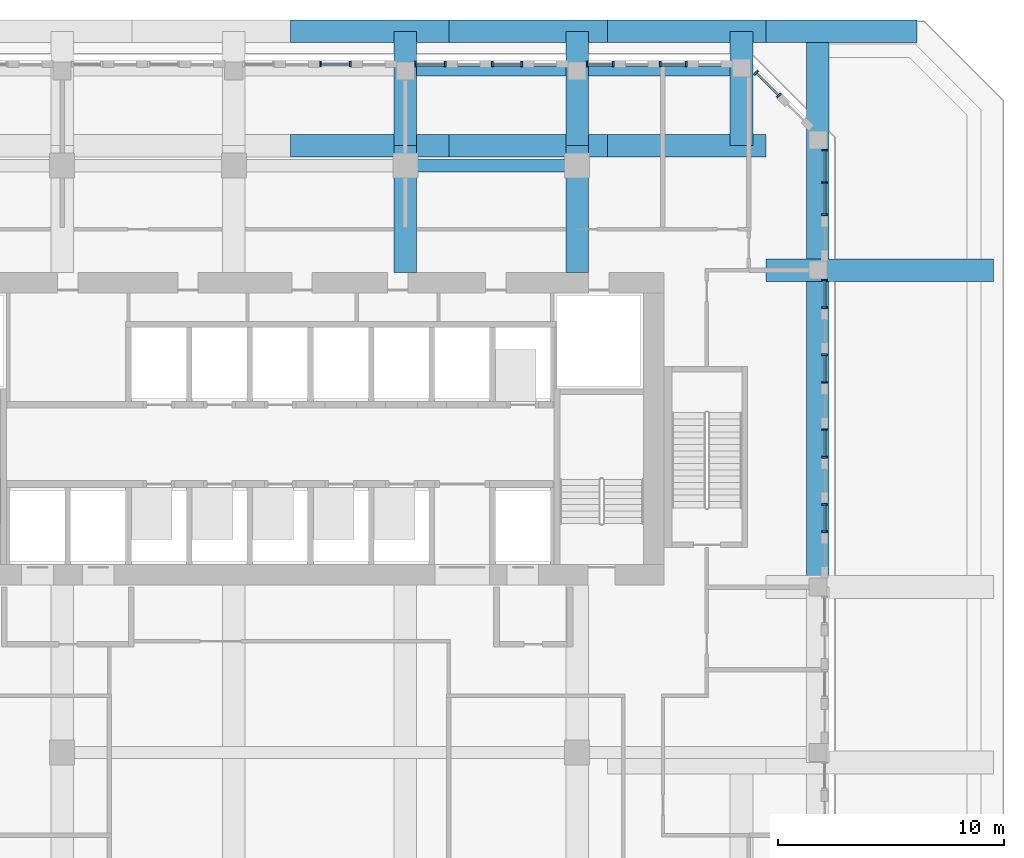
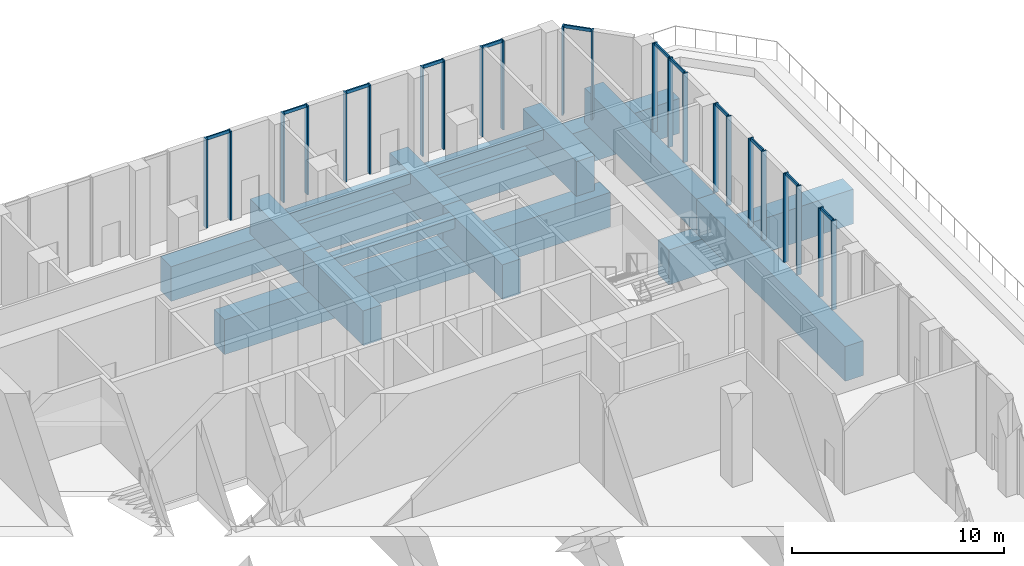
# One storey, part 6 of 19: 35 members, 18 beams, 11 elements without a shape of their own.
"""IFC4 building model written with IfcOpenShell, lengths in metres."""

import ifcopenshell
import ifcopenshell.guid

model = None  # the IFC model being written
_history = None  # IfcOwnerHistory: only IFC2X3 demands one
_inside = {}  # id of a spatial element -> (the spatial element, [elements in it])
_under = {}  # id of a project, library or spatial element -> (it, [spatial elements below it])
_declared = {}  # id of a project -> (the project, [libraries it declares])
_typed = {}  # id of a type object -> (the type object, [elements of that type])
_made_of = {}  # id of a material, layer set ... -> (it, [elements and type objects made of it])


def new_model(schema):
    """Start an empty IFC model of exactly this schema.

    Asked for "IFC4X3", IfcOpenShell would pick the latest addendum, in which some entities
    have other attributes; the version numbers below select the first issue.
    IFC2X3 requires an IfcOwnerHistory on every rooted entity: one is made here for all.
    """
    global model, _history
    if schema == "IFC4X3":
        model = ifcopenshell.file(schema_version=(4, 3, 0, 0))
    else:
        model = ifcopenshell.file(schema=schema)
    _inside.clear()
    _under.clear()
    _declared.clear()
    _typed.clear()
    _made_of.clear()
    _history = None
    if model.schema == "IFC2X3":
        org = make("IfcOrganization", Name="unknown")
        user = make(
            "IfcPersonAndOrganization",
            ThePerson=make("IfcPerson", FamilyName="unknown"),
            TheOrganization=org,
        )
        app = make(
            "IfcApplication",
            ApplicationDeveloper=org,
            Version="unknown",
            ApplicationFullName="unknown",
            ApplicationIdentifier="unknown",
        )
        _history = make(
            "IfcOwnerHistory",
            OwningUser=user,
            OwningApplication=app,
            ChangeAction="ADDED",
            CreationDate=0,
        )
    return model


def make(cls, **values):
    """One entity of the class cls with the attributes given. An attribute that is None is left unset."""
    return model.create_entity(
        cls, **{name: value for name, value in values.items() if value is not None}
    )


def rooted(cls, **values):
    """An entity with a GlobalId (a new one), such as an element, a storey or a relation."""
    return make(cls, GlobalId=ifcopenshell.guid.new(), OwnerHistory=_history, **values)


def si_unit(unit_type, name, prefix=None):
    """IfcSIUnit, for example si_unit("LENGTHUNIT", "METRE", prefix="MILLI")."""
    return make("IfcSIUnit", UnitType=unit_type, Prefix=prefix, Name=name)


def assignment(units):
    """IfcUnitAssignment: the units of a project."""
    return None if units is None else make("IfcUnitAssignment", Units=units)


def point(xyz):
    """IfcCartesianPoint."""
    return None if xyz is None else make("IfcCartesianPoint", Coordinates=xyz)


def direction(xyz):
    """IfcDirection."""
    return None if xyz is None else make("IfcDirection", DirectionRatios=xyz)


def frame(location, z_axis=None, x_axis=None):
    """IfcAxis2Placement3D, a coordinate frame: its origin and axes. An axis left out is left unset."""
    return make(
        "IfcAxis2Placement3D",
        Location=point(location),
        Axis=direction(z_axis),
        RefDirection=direction(x_axis),
    )


def frame_2d(location, x_axis=None):
    """IfcAxis2Placement2D, a coordinate frame in the plane: its origin and x axis."""
    return make(
        "IfcAxis2Placement2D", Location=point(location), RefDirection=direction(x_axis)
    )


def origin():
    """The frame at (0, 0, 0) with its axes left unset."""
    return frame((0.0, 0.0, 0.0))


def origin_2d():
    """The frame at (0, 0) in the plane with its x axis left unset."""
    return frame_2d((0.0, 0.0))


def place(relative_to, where):
    """IfcLocalPlacement: puts the frame where relative to a parent placement (None: the world)."""
    return make(
        "IfcLocalPlacement", PlacementRelTo=relative_to, RelativePlacement=where
    )


def context(
    kind, dimensions, precision=None, world=None, true_north=None, identifier=None
):
    """IfcGeometricRepresentationContext, for example the 3D "Model" context."""
    return make(
        "IfcGeometricRepresentationContext",
        ContextIdentifier=identifier,
        ContextType=kind,
        CoordinateSpaceDimension=dimensions,
        Precision=precision,
        WorldCoordinateSystem=world,
        TrueNorth=true_north,
    )


def subcontext(parent, identifier, kind, view, scale=None):
    """IfcGeometricRepresentationSubContext, for example "Body" below "Model"."""
    return make(
        "IfcGeometricRepresentationSubContext",
        ContextIdentifier=identifier,
        ContextType=kind,
        ParentContext=parent,
        TargetScale=scale,
        TargetView=view,
    )


def project(units=None, contexts=None):
    """IfcProject with its units and contexts."""
    return rooted(
        "IfcProject",
        Name="project",
        RepresentationContexts=contexts,
        UnitsInContext=assignment(units),
    )


def spatial(cls, under=None, at=None, **own):
    """A site, building, storey or space (cls), placed at a placement, below another one or the project."""
    s = rooted(cls, ObjectPlacement=at, **own)
    if under is not None:
        _under.setdefault(under.id(), (under, []))[1].append(s)
    return s


def profile(cls, at=None, kind="AREA", **sizes):
    """A parametric profile (cls). Its sizes go by their IFC names, for example OverallWidth=200.0."""
    return make(cls, ProfileType=kind, Position=at, **sizes)


def rectangle(**sizes):
    """IfcRectangleProfileDef."""
    return profile("IfcRectangleProfileDef", **sizes)


def extrude(swept, where, along, depth):
    """IfcExtrudedAreaSolid: the profile swept, set in the frame where, extruded along a direction by depth."""
    return make(
        "IfcExtrudedAreaSolid",
        SweptArea=swept,
        Position=where,
        ExtrudedDirection=direction(along),
        Depth=depth,
    )


def shape(context_of_items, identifier, shape_type, items):
    """IfcShapeRepresentation: the items that make up one representation, for example the "Body"."""
    return make(
        "IfcShapeRepresentation",
        ContextOfItems=context_of_items,
        RepresentationIdentifier=identifier,
        RepresentationType=shape_type,
        Items=items,
    )


def source(mapping_origin, context_of_items, identifier, shape_type, items):
    """IfcRepresentationMap: a shape defined once, which mapped items show again and again."""
    return make(
        "IfcRepresentationMap",
        MappingOrigin=mapping_origin,
        MappedRepresentation=shape(context_of_items, identifier, shape_type, items),
    )


def transform(
    local_origin,
    x_axis=None,
    y_axis=None,
    z_axis=None,
    scale=None,
    scale2=None,
    scale3=None,
    uniform=True,
):
    """IfcCartesianTransformationOperator3D, or its non-uniform kind. x_axis, y_axis, z_axis: its Axis1, 2, 3."""
    if uniform:
        return make(
            "IfcCartesianTransformationOperator3D",
            Axis1=direction(x_axis),
            Axis2=direction(y_axis),
            LocalOrigin=point(local_origin),
            Scale=scale,
            Axis3=direction(z_axis),
        )
    return make(
        "IfcCartesianTransformationOperator3DnonUniform",
        Axis1=direction(x_axis),
        Axis2=direction(y_axis),
        LocalOrigin=point(local_origin),
        Scale=scale,
        Axis3=direction(z_axis),
        Scale2=scale2,
        Scale3=scale3,
    )


def mapped(mapping_source, mapping_target):
    """IfcMappedItem: shows the shape of a source again, moved by a transform."""
    return make(
        "IfcMappedItem", MappingSource=mapping_source, MappingTarget=mapping_target
    )


def material(Name=None, Category=None):
    """IfcMaterial."""
    return make("IfcMaterial", Name=Name, Category=Category)


def material_profile(
    of_material, cross_section, Name=None, Category=None, Priority=None
):
    """IfcMaterialProfile: a cross section and its material."""
    return make(
        "IfcMaterialProfile",
        Name=Name,
        Material=of_material,
        Profile=cross_section,
        Priority=Priority,
        Category=Category,
    )


def profile_set(profiles, Name=None, composite=None):
    """IfcMaterialProfileSet."""
    return make(
        "IfcMaterialProfileSet",
        Name=Name,
        MaterialProfiles=profiles,
        CompositeProfile=composite,
    )


def made_of(thing, what):
    """Note that an element or type object is made of a material, layer set ...; save() writes the relation."""
    if what is not None:
        _made_of.setdefault(what.id(), (what, []))[1].append(thing)
    return thing


def type_object(cls, material=None, **own):
    """A type object (cls), such as IfcWallType, which elements share."""
    return made_of(rooted(cls, **own), material)


def element(
    cls,
    number,
    at=None,
    inside=None,
    cuts=None,
    type_object=None,
    material=None,
    context=None,
    identifier="Body",
    shape_type=None,
    held_by="IfcProductDefinitionShape",
    body=None,
    shapes=None,
    **own,
):
    """One element of the class cls, such as IfcWall. Its Tag is "e" and its number.

    at: its placement. inside: the storey or other place that contains it. cuts: it is an
    opening in that element (IfcRelVoidsElement). A single representation is given by context,
    identifier, shape_type and body (its items); several are given by shapes. held_by: the class
    of the entity that holds the representations. save() writes the other relations.
    """
    e = rooted(cls, Tag="e%d" % number, ObjectPlacement=at, **own)
    if body is not None:
        shapes = [shape(context, identifier, shape_type, body)]
    if shapes is not None:
        e.Representation = make(held_by, Representations=shapes)
    if inside is not None:
        _inside.setdefault(inside.id(), (inside, []))[1].append(e)
    if cuts is not None:
        rooted(
            "IfcRelVoidsElement", RelatingBuildingElement=cuts, RelatedOpeningElement=e
        )
    if type_object is not None:
        _typed.setdefault(type_object.id(), (type_object, []))[1].append(e)
    return made_of(e, material)


def aggregate(whole, parts):
    """IfcRelAggregates: a whole, such as a stair, and the parts it consists of."""
    return rooted("IfcRelAggregates", RelatingObject=whole, RelatedObjects=parts)


def save(model, path):
    """Write the relations noted so far, then the file.

    IfcRelAggregates (storeys below a building ...), IfcRelContainedInSpatialStructure (elements
    in a storey), IfcRelDefinesByType, IfcRelAssociatesMaterial and IfcRelDeclares: one each for
    every whole, place, type object, material and project.
    """
    for whole, parts in _under.values():
        aggregate(whole, parts)
    for where, things in _inside.values():
        rooted(
            "IfcRelContainedInSpatialStructure",
            RelatedElements=things,
            RelatingStructure=where,
        )
    for kind, things in _typed.values():
        rooted("IfcRelDefinesByType", RelatedObjects=things, RelatingType=kind)
    for what, things in _made_of.values():
        rooted("IfcRelAssociatesMaterial", RelatedObjects=things, RelatingMaterial=what)
    for by, libraries in _declared.values():
        rooted("IfcRelDeclares", RelatingContext=by, RelatedDefinitions=libraries)
    model.write(path)


model = new_model("IFC4")

# Units and contexts
model_context = context("Model", 3, precision=1e-05, world=origin(), true_north=direction((0.0, 1.0)))
body_context = subcontext(model_context, "Body", "Model", "MODEL_VIEW")
ifc_project = project(units=[si_unit("LENGTHUNIT", "METRE"), si_unit("AREAUNIT", "SQUARE_METRE"), si_unit("VOLUMEUNIT", "CUBIC_METRE"), si_unit("PLANEANGLEUNIT", "RADIAN"), si_unit("MASSUNIT", "GRAM", prefix="KILO")], contexts=[model_context])

# Site, building, storey
site_placement = place(None, origin())
site = spatial("IfcSite", under=ifc_project, at=site_placement, CompositionType="ELEMENT")
building_placement = place(site_placement, origin())
building = spatial("IfcBuilding", under=site, at=building_placement, Name="Kilnfold Tower and Market Hall", CompositionType="ELEMENT")
storey_placement = place(building_placement, frame((0.0, 0.0, 138.5)))
storey = spatial("IfcBuildingStorey", under=building, at=storey_placement, Name="L31", CompositionType="ELEMENT", Elevation=138.5)

# Beams
ifc_material_1 = material(Name="Concrete C60", Category="concrete")
ifc_material_profile_1 = material_profile(ifc_material_1, rectangle(XDim=1.0, YDim=2.0, at=origin_2d()), Name="RC 1000x2000")
ifc_profile_set_1 = profile_set([ifc_material_profile_1], Name="Concrete C60")
beam_type_1 = type_object("IfcBeamType", Name="TRANSFER GIRDER 1000X2000 C60", PredefinedType="BEAM", material=ifc_profile_set_1)
shared_shape_1 = source(origin(), body_context, "Body", "SweptSolid", [
    extrude(rectangle(XDim=1.0, YDim=2.0, at=origin_2d()), origin(), (0.0, 0.0, 1.0), 10.050048828125),
])
beam_1_placement = place(storey_placement, frame((22.5, 22.0, -3.39990234375), z_axis=(1.0, 0.0, 0.0), x_axis=(0.0, 1.0, 0.0)))
element("IfcBeam", 1, at=beam_1_placement, inside=storey, type_object=beam_type_1, Name="Beam TG2000-B4.26", PredefinedType="BEAM", context=body_context, shape_type="MappedRepresentation", body=[
    mapped(shared_shape_1, transform((0.0, 0.0, 0.0))),
])
shared_shape_2 = source(origin(), body_context, "Body", "SweptSolid", [
    extrude(rectangle(XDim=1.0, YDim=2.0, at=origin_2d()), origin(), (0.0, 0.0, 1.0), 14.0),
])
beam_2_placement = place(storey_placement, frame((24.800048828125, 8.0, -1.39990234375), z_axis=(0.0, 1.0, 0.0), x_axis=(-1.0, 0.0, 0.0)))
element("IfcBeam", 2, at=beam_2_placement, inside=storey, type_object=beam_type_1, Name="Beam TG2000-B4.52", PredefinedType="BEAM", context=body_context, shape_type="MappedRepresentation", body=[
    mapped(shared_shape_2, transform((0.0, 0.0, 0.0))),
])
shared_shape_3 = source(origin(), body_context, "Body", "SweptSolid", [
    extrude(rectangle(XDim=1.0, YDim=2.0, at=origin_2d()), origin(), (0.0, 0.0, 1.0), 7.0),
])
for number, where, z_axis, x_axis, name in (
    (3, (1.5, 27.5, -3.39990234375), (1.0, 0.0, 0.0), (0.0, 1.0, 0.0), "Beam TG2000-B4.13"),
    (4, (1.5, 32.550048828125, -3.39990234375), (1.0, 0.0, 0.0), (0.0, 1.0, 0.0), "Beam TG2000-B4.14"),
    (5, (8.5, 27.5, -3.39990234375), (1.0, 0.0, 0.0), (0.0, 1.0, 0.0), "Beam TG2000-B4.17"),
    (6, (8.5, 32.550048828125, -3.39990234375), (1.0, 0.0, 0.0), (0.0, 1.0, 0.0), "Beam TG2000-B4.18"),
    (7, (15.5, 27.5, -3.39990234375), (1.0, 0.0, 0.0), (0.0, 1.0, 0.0), "Beam TG2000-B4.21"),
    (8, (15.5, 32.550048828125, -3.39990234375), (1.0, 0.0, 0.0), (0.0, 1.0, 0.0), "Beam TG2000-B4.22"),
):
    element("IfcBeam", number, at=place(storey_placement, frame(where, z_axis=z_axis, x_axis=x_axis)), inside=storey, type_object=beam_type_1, Name=name, PredefinedType="BEAM", context=body_context, shape_type="MappedRepresentation", body=[
        mapped(shared_shape_3, transform((0.0, 0.0, 0.0))),
    ])
shared_shape_4 = source(origin(), body_context, "Body", "SweptSolid", [
    extrude(rectangle(XDim=1.0, YDim=2.0, at=origin_2d()), origin(), (0.0, 0.0, 1.0), 6.681884765625),
])
beam_3_placement = place(storey_placement, frame((22.5, 32.550048828125, -3.39990234375), z_axis=(1.0, 0.0, 0.0), x_axis=(0.0, 1.0, 0.0)))
element("IfcBeam", 9, at=beam_3_placement, inside=storey, type_object=beam_type_1, Name="Beam TG2000-B4.27", PredefinedType="BEAM", context=body_context, shape_type="MappedRepresentation", body=[
    mapped(shared_shape_4, transform((0.0, 0.0, 0.0))),
])
shared_shape_5 = source(origin(), body_context, "Body", "SweptSolid", [
    extrude(rectangle(XDim=1.0, YDim=2.0, at=origin_2d()), origin(), (0.0, 0.0, 1.0), 5.050048828125),
])
for number, where, z_axis, x_axis, name in (
    (10, (6.580078125, 27.5, -1.39990234375), (0.0, 1.0, 0.0), (-1.0, 0.0, 0.0), "Beam TG2000-B4.42"),
    (11, (14.169921875, 27.5, -1.39990234375), (0.0, 1.0, 0.0), (-1.0, 0.0, 0.0), "Beam TG2000-B4.46"),
    (12, (21.429931640625, 27.5, -1.39990234375), (0.0, 1.0, 0.0), (-1.0, 0.0, 0.0), "Beam TG2000-B4.49"),
):
    element("IfcBeam", number, at=place(storey_placement, frame(where, z_axis=z_axis, x_axis=x_axis)), inside=storey, type_object=beam_type_1, Name=name, PredefinedType="BEAM", context=body_context, shape_type="MappedRepresentation", body=[
        mapped(shared_shape_5, transform((0.0, 0.0, 0.0))),
    ])
shared_shape_6 = source(origin(), body_context, "Body", "SweptSolid", [
    extrude(rectangle(XDim=1.0, YDim=2.0, at=origin_2d()), origin(), (0.0, 0.0, 1.0), 5.60009765625),
])
for number, where, z_axis, x_axis, name in (
    (13, (6.580078125, 21.89990234375, -1.39990234375), (0.0, 1.0, 0.0), (-1.0, 0.0, 0.0), "Beam TG2000-B4.41"),
    (14, (14.169921875, 21.89990234375, -1.39990234375), (0.0, 1.0, 0.0), (-1.0, 0.0, 0.0), "Beam TG2000-B4.45"),
):
    element("IfcBeam", number, at=place(storey_placement, frame(where, z_axis=z_axis, x_axis=x_axis)), inside=storey, type_object=beam_type_1, Name=name, PredefinedType="BEAM", context=body_context, shape_type="MappedRepresentation", body=[
        mapped(shared_shape_6, transform((0.0, 0.0, 0.0))),
    ])
shared_shape_7 = source(origin(), body_context, "Body", "SweptSolid", [
    extrude(rectangle(XDim=1.0, YDim=2.0, at=origin_2d()), origin(), (0.0, 0.0, 1.0), 10.550048828125),
])
beam_4_placement = place(storey_placement, frame((24.800048828125, 22.0, -1.39990234375), z_axis=(0.0, 1.0, 0.0), x_axis=(-1.0, 0.0, 0.0)))
element("IfcBeam", 15, at=beam_4_placement, inside=storey, type_object=beam_type_1, Name="Beam TG2000-B4.53", PredefinedType="BEAM", context=body_context, shape_type="MappedRepresentation", body=[
    mapped(shared_shape_7, transform((0.0, 0.0, 0.0))),
])
ifc_material_2 = material(Name="Concrete C45", Category="concrete")
ifc_material_profile_2 = material_profile(ifc_material_2, rectangle(XDim=0.449951171875, YDim=0.60009765625, at=origin_2d()), Name="RC 450x600")
ifc_profile_set_2 = profile_set([ifc_material_profile_2], Name="Concrete C45")
beam_type_2 = type_object("IfcBeamType", Name="EDGE BEAM 450X600 C45", PredefinedType="BEAM", material=ifc_profile_set_2)
shared_shape_8 = source(origin(), body_context, "Body", "SweptSolid", [
    extrude(rectangle(XDim=0.449951171875, YDim=0.60009765625, at=origin_2d()), origin(), (0.0, 0.0, 1.0), 6.58984375),
])
beam_5_placement = place(storey_placement, frame((7.080078125, 30.800048828125, -0.699951171875), z_axis=(1.0, 0.0, 0.0), x_axis=(0.0, 1.0, 0.0)))
element("IfcBeam", 16, at=beam_5_placement, inside=storey, type_object=beam_type_2, Name="Beam EB600-B4.74", PredefinedType="BEAM", context=body_context, shape_type="MappedRepresentation", body=[
    mapped(shared_shape_8, transform((0.0, 0.0, 0.0))),
])
shared_shape_9 = source(origin(), body_context, "Body", "SweptSolid", [
    extrude(rectangle(XDim=0.449951171875, YDim=0.60009765625, at=origin_2d()), origin(), (0.0, 0.0, 1.0), 6.260009765625),
])
beam_6_placement = place(storey_placement, frame((14.669921875, 30.800048828125, -0.699951171875), z_axis=(1.0, 0.0, 0.0), x_axis=(0.0, 1.0, 0.0)))
element("IfcBeam", 17, at=beam_6_placement, inside=storey, type_object=beam_type_2, Name="Beam EB600-B4.75", PredefinedType="BEAM", context=body_context, shape_type="MappedRepresentation", body=[
    mapped(shared_shape_9, transform((0.0, 0.0, 0.0))),
])
ifc_material_3 = material(Name="Concrete C45", Category="concrete")
ifc_material_profile_3 = material_profile(ifc_material_3, rectangle(XDim=0.550048828125, YDim=0.60009765625, at=origin_2d()), Name="RC 550x600")
ifc_profile_set_3 = profile_set([ifc_material_profile_3], Name="Concrete C45")
beam_type_3 = type_object("IfcBeamType", Name="BEAM 550X600 C45", PredefinedType="BEAM", material=ifc_profile_set_3)
shared_shape_10 = source(origin(), body_context, "Body", "SweptSolid", [
    extrude(rectangle(XDim=0.550048828125, YDim=0.60009765625, at=origin_2d()), origin(), (0.0, 0.0, 1.0), 6.58984375),
])
beam_7_placement = place(storey_placement, frame((7.080078125, 26.6201171875, -0.699951171875), z_axis=(1.0, 0.0, 0.0), x_axis=(0.0, 1.0, 0.0)))
element("IfcBeam", 18, at=beam_7_placement, inside=storey, type_object=beam_type_3, Name="Beam BB600-B4.70", PredefinedType="BEAM", context=body_context, shape_type="MappedRepresentation", body=[
    mapped(shared_shape_10, transform((0.0, 0.0, 0.0))),
])

# Curtain wall, members
ifc_material_4 = material(Name="Aluminium and double glazing", Category="aluminium")
curtain_wall_type = type_object("IfcCurtainWallType", Name="CW SKY LOBBY GLAZING", PredefinedType="NOTDEFINED", material=ifc_material_4)
curtain_wall_1_placement = place(storey_placement, origin())
curtain_wall_1 = element("IfcCurtainWall", 19, at=curtain_wall_1_placement, inside=storey, type_object=curtain_wall_type, Name="Curtain wall CW3 L31 E", PredefinedType="NOTDEFINED")
ifc_material_5 = material(Name="Aluminium", Category="aluminium")
ifc_material_profile_4 = material_profile(ifc_material_5, rectangle(XDim=0.080078125, YDim=0.25, at=origin_2d()), Name="MULLION 80x250")
ifc_profile_set_4 = profile_set([ifc_material_profile_4], Name="Aluminium")
member_type_1 = type_object("IfcMemberType", Name="MULLION 80X250", PredefinedType="MULLION", material=ifc_profile_set_4)
shared_shape_11 = source(origin(), body_context, "Body", "SweptSolid", [
    extrude(rectangle(XDim=0.080078125, YDim=0.25, at=origin_2d()), origin(), (0.0, 0.0, 1.0), 5.1201171875),
])
member_1_placement = place(storey_placement, frame((25.10009765625, 10.43994140625, 0.0), z_axis=(0.0, 0.0, 1.0), x_axis=(0.0, 1.0, 0.0)))
member_1 = element("IfcMember", 20, at=member_1_placement, type_object=member_type_1, Name="CW3 mullion 1", PredefinedType="MULLION", context=body_context, shape_type="MappedRepresentation", body=[
    mapped(shared_shape_11, transform((0.0, 0.0, 0.0))),
])
member_2_placement = place(storey_placement, frame((25.10009765625, 11.659912109375, 0.0), z_axis=(0.0, 0.0, 1.0), x_axis=(0.0, 1.0, 0.0)))
member_2 = element("IfcMember", 21, at=member_2_placement, type_object=member_type_1, Name="CW3 mullion 2", PredefinedType="MULLION", context=body_context, shape_type="MappedRepresentation", body=[
    mapped(shared_shape_11, transform((0.0, 0.0, 0.0))),
])

curtain_wall_2_placement = place(storey_placement, origin())
curtain_wall_2 = element("IfcCurtainWall", 22, at=curtain_wall_2_placement, inside=storey, type_object=curtain_wall_type, Name="Curtain wall CW3 L31 E", PredefinedType="NOTDEFINED")
member_3_placement = place(storey_placement, frame((25.10009765625, 13.739990234375, 0.0), z_axis=(0.0, 0.0, 1.0), x_axis=(0.0, 1.0, 0.0)))
member_3 = element("IfcMember", 23, at=member_3_placement, type_object=member_type_1, Name="CW3 mullion 1", PredefinedType="MULLION", context=body_context, shape_type="MappedRepresentation", body=[
    mapped(shared_shape_11, transform((0.0, 0.0, 0.0))),
])
member_4_placement = place(storey_placement, frame((25.10009765625, 14.9599609375, 0.0), z_axis=(0.0, 0.0, 1.0), x_axis=(0.0, 1.0, 0.0)))
member_4 = element("IfcMember", 24, at=member_4_placement, type_object=member_type_1, Name="CW3 mullion 2", PredefinedType="MULLION", context=body_context, shape_type="MappedRepresentation", body=[
    mapped(shared_shape_11, transform((0.0, 0.0, 0.0))),
])

curtain_wall_3_placement = place(storey_placement, origin())
curtain_wall_3 = element("IfcCurtainWall", 25, at=curtain_wall_3_placement, inside=storey, type_object=curtain_wall_type, Name="Curtain wall CW3 L31 E", PredefinedType="NOTDEFINED")
member_5_placement = place(storey_placement, frame((25.10009765625, 17.0400390625, 0.0), z_axis=(0.0, 0.0, 1.0), x_axis=(0.0, 1.0, 0.0)))
member_5 = element("IfcMember", 26, at=member_5_placement, type_object=member_type_1, Name="CW3 mullion 1", PredefinedType="MULLION", context=body_context, shape_type="MappedRepresentation", body=[
    mapped(shared_shape_11, transform((0.0, 0.0, 0.0))),
])
member_6_placement = place(storey_placement, frame((25.10009765625, 18.260009765625, 0.0), z_axis=(0.0, 0.0, 1.0), x_axis=(0.0, 1.0, 0.0)))
member_6 = element("IfcMember", 27, at=member_6_placement, type_object=member_type_1, Name="CW3 mullion 2", PredefinedType="MULLION", context=body_context, shape_type="MappedRepresentation", body=[
    mapped(shared_shape_11, transform((0.0, 0.0, 0.0))),
])

curtain_wall_4_placement = place(storey_placement, origin())
curtain_wall_4 = element("IfcCurtainWall", 28, at=curtain_wall_4_placement, inside=storey, type_object=curtain_wall_type, Name="Curtain wall CW3 L31 E", PredefinedType="NOTDEFINED")
member_7_placement = place(storey_placement, frame((25.10009765625, 20.340087890625, 0.0), z_axis=(0.0, 0.0, 1.0), x_axis=(0.0, 1.0, 0.0)))
member_7 = element("IfcMember", 29, at=member_7_placement, type_object=member_type_1, Name="CW3 mullion 1", PredefinedType="MULLION", context=body_context, shape_type="MappedRepresentation", body=[
    mapped(shared_shape_11, transform((0.0, 0.0, 0.0))),
])
member_8_placement = place(storey_placement, frame((25.10009765625, 21.56005859375, 0.0), z_axis=(0.0, 0.0, 1.0), x_axis=(0.0, 1.0, 0.0)))
member_8 = element("IfcMember", 30, at=member_8_placement, type_object=member_type_1, Name="CW3 mullion 2", PredefinedType="MULLION", context=body_context, shape_type="MappedRepresentation", body=[
    mapped(shared_shape_11, transform((0.0, 0.0, 0.0))),
])

curtain_wall_5_placement = place(storey_placement, origin())
curtain_wall_5 = element("IfcCurtainWall", 31, at=curtain_wall_5_placement, inside=storey, type_object=curtain_wall_type, Name="Curtain wall CW3 L31 E", PredefinedType="NOTDEFINED")
member_9_placement = place(storey_placement, frame((25.10009765625, 24.43994140625, 0.0), z_axis=(0.0, 0.0, 1.0), x_axis=(0.0, 1.0, 0.0)))
member_9 = element("IfcMember", 32, at=member_9_placement, type_object=member_type_1, Name="CW3 mullion 1", PredefinedType="MULLION", context=body_context, shape_type="MappedRepresentation", body=[
    mapped(shared_shape_11, transform((0.0, 0.0, 0.0))),
])
member_10_placement = place(storey_placement, frame((25.10009765625, 25.875, 0.0), z_axis=(0.0, 0.0, 1.0), x_axis=(0.0, 1.0, 0.0)))
member_10 = element("IfcMember", 33, at=member_10_placement, type_object=member_type_1, Name="CW3 mullion 2", PredefinedType="MULLION", context=body_context, shape_type="MappedRepresentation", body=[
    mapped(shared_shape_11, transform((0.0, 0.0, 0.0))),
])
member_11_placement = place(storey_placement, frame((25.10009765625, 27.31005859375, 0.0), z_axis=(0.0, 0.0, 1.0), x_axis=(0.0, 1.0, 0.0)))
member_11 = element("IfcMember", 34, at=member_11_placement, type_object=member_type_1, Name="CW3 mullion 3", PredefinedType="MULLION", context=body_context, shape_type="MappedRepresentation", body=[
    mapped(shared_shape_11, transform((0.0, 0.0, 0.0))),
])

curtain_wall_6_placement = place(storey_placement, origin())
curtain_wall_6 = element("IfcCurtainWall", 35, at=curtain_wall_6_placement, inside=storey, type_object=curtain_wall_type, Name="Curtain wall CW3 L31 NE", PredefinedType="NOTDEFINED")
member_12_placement = place(storey_placement, frame((23.076416015625, 29.71142578125, 0.0), z_axis=(0.0, 0.0, 1.0), x_axis=(-0.707106781187, 0.707106781187, 0.0)))
member_12 = element("IfcMember", 36, at=member_12_placement, type_object=member_type_1, Name="CW3 mullion 1", PredefinedType="MULLION", context=body_context, shape_type="MappedRepresentation", body=[
    mapped(shared_shape_11, transform((0.0, 0.0, 0.0))),
])
member_13_placement = place(storey_placement, frame((22.072265625, 30.7158203125, 0.0), z_axis=(0.0, 0.0, 1.0), x_axis=(-0.707106781187, 0.707106781187, 0.0)))
member_13 = element("IfcMember", 37, at=member_13_placement, type_object=member_type_1, Name="CW3 mullion 2", PredefinedType="MULLION", context=body_context, shape_type="MappedRepresentation", body=[
    mapped(shared_shape_11, transform((0.0, 0.0, 0.0))),
])

curtain_wall_7_placement = place(storey_placement, origin())
curtain_wall_7 = element("IfcCurtainWall", 38, at=curtain_wall_7_placement, inside=storey, type_object=curtain_wall_type, Name="Curtain wall CW3 L31 N", PredefinedType="NOTDEFINED")
member_14_placement = place(storey_placement, frame((18.99169921875, 31.10009765625, 0.0), z_axis=(0.0, 0.0, 1.0), x_axis=(-1.0, 0.0, 0.0)))
member_14 = element("IfcMember", 39, at=member_14_placement, type_object=member_type_1, Name="CW3 mullion 1", PredefinedType="MULLION", context=body_context, shape_type="MappedRepresentation", body=[
    mapped(shared_shape_11, transform((0.0, 0.0, 0.0))),
])
member_15_placement = place(storey_placement, frame((17.83935546875, 31.10009765625, 0.0), z_axis=(0.0, 0.0, 1.0), x_axis=(-1.0, 0.0, 0.0)))
member_15 = element("IfcMember", 40, at=member_15_placement, type_object=member_type_1, Name="CW3 mullion 2", PredefinedType="MULLION", context=body_context, shape_type="MappedRepresentation", body=[
    mapped(shared_shape_11, transform((0.0, 0.0, 0.0))),
])

curtain_wall_8_placement = place(storey_placement, origin())
curtain_wall_8 = element("IfcCurtainWall", 41, at=curtain_wall_8_placement, inside=storey, type_object=curtain_wall_type, Name="Curtain wall CW3 L31 N", PredefinedType="NOTDEFINED")
member_16_placement = place(storey_placement, frame((15.75927734375, 31.10009765625, 0.0), z_axis=(0.0, 0.0, 1.0), x_axis=(-1.0, 0.0, 0.0)))
member_16 = element("IfcMember", 42, at=member_16_placement, type_object=member_type_1, Name="CW3 mullion 1", PredefinedType="MULLION", context=body_context, shape_type="MappedRepresentation", body=[
    mapped(shared_shape_11, transform((0.0, 0.0, 0.0))),
])
member_17_placement = place(storey_placement, frame((14.606689453125, 31.10009765625, 0.0), z_axis=(0.0, 0.0, 1.0), x_axis=(-1.0, 0.0, 0.0)))
member_17 = element("IfcMember", 43, at=member_17_placement, type_object=member_type_1, Name="CW3 mullion 2", PredefinedType="MULLION", context=body_context, shape_type="MappedRepresentation", body=[
    mapped(shared_shape_11, transform((0.0, 0.0, 0.0))),
])

curtain_wall_9_placement = place(storey_placement, origin())
curtain_wall_9 = element("IfcCurtainWall", 44, at=curtain_wall_9_placement, inside=storey, type_object=curtain_wall_type, Name="Curtain wall CW3 L31 N", PredefinedType="NOTDEFINED")
member_18_placement = place(storey_placement, frame((11.726806640625, 31.10009765625, 0.0), z_axis=(0.0, 0.0, 1.0), x_axis=(-1.0, 0.0, 0.0)))
member_18 = element("IfcMember", 45, at=member_18_placement, type_object=member_type_1, Name="CW3 mullion 1", PredefinedType="MULLION", context=body_context, shape_type="MappedRepresentation", body=[
    mapped(shared_shape_11, transform((0.0, 0.0, 0.0))),
])
member_19_placement = place(storey_placement, frame((10.4150390625, 31.10009765625, 0.0), z_axis=(0.0, 0.0, 1.0), x_axis=(-1.0, 0.0, 0.0)))
member_19 = element("IfcMember", 46, at=member_19_placement, type_object=member_type_1, Name="CW3 mullion 2", PredefinedType="MULLION", context=body_context, shape_type="MappedRepresentation", body=[
    mapped(shared_shape_11, transform((0.0, 0.0, 0.0))),
])

curtain_wall_10_placement = place(storey_placement, origin())
curtain_wall_10 = element("IfcCurtainWall", 47, at=curtain_wall_10_placement, inside=storey, type_object=curtain_wall_type, Name="Curtain wall CW3 L31 N", PredefinedType="NOTDEFINED")
member_20_placement = place(storey_placement, frame((8.3349609375, 31.10009765625, 0.0), z_axis=(0.0, 0.0, 1.0), x_axis=(-1.0, 0.0, 0.0)))
member_20 = element("IfcMember", 48, at=member_20_placement, type_object=member_type_1, Name="CW3 mullion 1", PredefinedType="MULLION", context=body_context, shape_type="MappedRepresentation", body=[
    mapped(shared_shape_11, transform((0.0, 0.0, 0.0))),
])
member_21_placement = place(storey_placement, frame((7.023193359375, 31.10009765625, 0.0), z_axis=(0.0, 0.0, 1.0), x_axis=(-1.0, 0.0, 0.0)))
member_21 = element("IfcMember", 49, at=member_21_placement, type_object=member_type_1, Name="CW3 mullion 2", PredefinedType="MULLION", context=body_context, shape_type="MappedRepresentation", body=[
    mapped(shared_shape_11, transform((0.0, 0.0, 0.0))),
])

curtain_wall_11_placement = place(storey_placement, origin())
curtain_wall_11 = element("IfcCurtainWall", 50, at=curtain_wall_11_placement, inside=storey, type_object=curtain_wall_type, Name="Curtain wall CW3 L31 N", PredefinedType="NOTDEFINED")
member_22_placement = place(storey_placement, frame((4.143310546875, 31.10009765625, 0.0), z_axis=(0.0, 0.0, 1.0), x_axis=(-1.0, 0.0, 0.0)))
member_22 = element("IfcMember", 51, at=member_22_placement, type_object=member_type_1, Name="CW3 mullion 1", PredefinedType="MULLION", context=body_context, shape_type="MappedRepresentation", body=[
    mapped(shared_shape_11, transform((0.0, 0.0, 0.0))),
])
member_23_placement = place(storey_placement, frame((2.83154296875, 31.10009765625, 0.0), z_axis=(0.0, 0.0, 1.0), x_axis=(-1.0, 0.0, 0.0)))
member_23 = element("IfcMember", 52, at=member_23_placement, type_object=member_type_1, Name="CW3 mullion 2", PredefinedType="MULLION", context=body_context, shape_type="MappedRepresentation", body=[
    mapped(shared_shape_11, transform((0.0, 0.0, 0.0))),
])

# Member
ifc_material_6 = material(Name="Aluminium", Category="aluminium")
ifc_material_profile_5 = material_profile(ifc_material_6, rectangle(XDim=0.080078125, YDim=0.179931640625, at=origin_2d()), Name="TRANSOM 80x180")
ifc_profile_set_5 = profile_set([ifc_material_profile_5], Name="Aluminium")
member_type_2 = type_object("IfcMemberType", Name="TRANSOM 80X180", PredefinedType="USERDEFINED", material=ifc_profile_set_5)
shared_shape_12 = source(origin(), body_context, "Body", "SweptSolid", [
    extrude(rectangle(XDim=0.080078125, YDim=0.179931640625, at=origin_2d()), origin(), (0.0, 0.0, 1.0), 1.231689453125),
])
member_24_placement = place(storey_placement, frame((11.686767578125, 31.10009765625, 5.080078125), z_axis=(-1.0, 0.0, 0.0), x_axis=(0.0, -1.0, 0.0)))
member_24 = element("IfcMember", 53, at=member_24_placement, type_object=member_type_2, Name="CW3 transom 1.2", ObjectType="TRANSOM", PredefinedType="USERDEFINED", context=body_context, shape_type="MappedRepresentation", body=[
    mapped(shared_shape_12, transform((0.0, 0.0, 0.0))),
])

aggregate(curtain_wall_9, [member_18, member_19, member_24])

member_25_placement = place(storey_placement, frame((8.294921875, 31.10009765625, 5.080078125), z_axis=(-1.0, 0.0, 0.0), x_axis=(0.0, -1.0, 0.0)))
member_25 = element("IfcMember", 54, at=member_25_placement, type_object=member_type_2, Name="CW3 transom 1.2", ObjectType="TRANSOM", PredefinedType="USERDEFINED", context=body_context, shape_type="MappedRepresentation", body=[
    mapped(shared_shape_12, transform((0.0, 0.0, 0.0))),
])

aggregate(curtain_wall_10, [member_20, member_21, member_25])

member_26_placement = place(storey_placement, frame((4.103271484375, 31.10009765625, 5.080078125), z_axis=(-1.0, 0.0, 0.0), x_axis=(0.0, -1.0, 0.0)))
member_26 = element("IfcMember", 55, at=member_26_placement, type_object=member_type_2, Name="CW3 transom 1.2", ObjectType="TRANSOM", PredefinedType="USERDEFINED", context=body_context, shape_type="MappedRepresentation", body=[
    mapped(shared_shape_12, transform((0.0, 0.0, 0.0))),
])

aggregate(curtain_wall_11, [member_22, member_23, member_26])

shared_shape_13 = source(origin(), body_context, "Body", "SweptSolid", [
    extrude(rectangle(XDim=0.080078125, YDim=0.179931640625, at=origin_2d()), origin(), (0.0, 0.0, 1.0), 1.340087890625),
])
member_27_placement = place(storey_placement, frame((23.048095703125, 29.73974609375, 5.080078125), z_axis=(-0.707015688527, 0.707197862113, 0.0), x_axis=(-0.707197862113, -0.707015688527, 0.0)))
member_27 = element("IfcMember", 56, at=member_27_placement, type_object=member_type_2, Name="CW3 transom 1.2", ObjectType="TRANSOM", PredefinedType="USERDEFINED", context=body_context, shape_type="MappedRepresentation", body=[
    mapped(shared_shape_13, transform((0.0, 0.0, 0.0))),
])

aggregate(curtain_wall_6, [member_12, member_13, member_27])

shared_shape_14 = source(origin(), body_context, "Body", "SweptSolid", [
    extrude(rectangle(XDim=0.080078125, YDim=0.179931640625, at=origin_2d()), origin(), (0.0, 0.0, 1.0), 1.14013671875),
])
member_28_placement = place(storey_placement, frame((25.10009765625, 10.47998046875, 5.080078125), z_axis=(0.0, 1.0, 0.0), x_axis=(-1.0, 0.0, 0.0)))
member_28 = element("IfcMember", 57, at=member_28_placement, type_object=member_type_2, Name="CW3 transom 1.2", ObjectType="TRANSOM", PredefinedType="USERDEFINED", context=body_context, shape_type="MappedRepresentation", body=[
    mapped(shared_shape_14, transform((0.0, 0.0, 0.0))),
])

aggregate(curtain_wall_1, [member_1, member_2, member_28])

member_29_placement = place(storey_placement, frame((25.10009765625, 20.3798828125, 5.080078125), z_axis=(0.0, 1.0, 0.0), x_axis=(-1.0, 0.0, 0.0)))
member_29 = element("IfcMember", 58, at=member_29_placement, type_object=member_type_2, Name="CW3 transom 1.2", ObjectType="TRANSOM", PredefinedType="USERDEFINED", context=body_context, shape_type="MappedRepresentation", body=[
    mapped(shared_shape_14, transform((0.0, 0.0, 0.0))),
])

aggregate(curtain_wall_4, [member_7, member_8, member_29])

shared_shape_15 = source(origin(), body_context, "Body", "SweptSolid", [
    extrude(rectangle(XDim=0.080078125, YDim=0.179931640625, at=origin_2d()), origin(), (0.0, 0.0, 1.0), 1.139892578125),
])
member_30_placement = place(storey_placement, frame((25.10009765625, 13.780029296875, 5.080078125), z_axis=(0.0, 1.0, 0.0), x_axis=(-1.0, 0.0, 0.0)))
member_30 = element("IfcMember", 59, at=member_30_placement, type_object=member_type_2, Name="CW3 transom 1.2", ObjectType="TRANSOM", PredefinedType="USERDEFINED", context=body_context, shape_type="MappedRepresentation", body=[
    mapped(shared_shape_15, transform((0.0, 0.0, 0.0))),
])

aggregate(curtain_wall_2, [member_3, member_4, member_30])

member_31_placement = place(storey_placement, frame((25.10009765625, 17.080078125, 5.080078125), z_axis=(0.0, 1.0, 0.0), x_axis=(-1.0, 0.0, 0.0)))
member_31 = element("IfcMember", 60, at=member_31_placement, type_object=member_type_2, Name="CW3 transom 1.2", ObjectType="TRANSOM", PredefinedType="USERDEFINED", context=body_context, shape_type="MappedRepresentation", body=[
    mapped(shared_shape_15, transform((0.0, 0.0, 0.0))),
])

aggregate(curtain_wall_3, [member_5, member_6, member_31])

shared_shape_16 = source(origin(), body_context, "Body", "SweptSolid", [
    extrude(rectangle(XDim=0.080078125, YDim=0.179931640625, at=origin_2d()), origin(), (0.0, 0.0, 1.0), 1.35498046875),
])
member_32_placement = place(storey_placement, frame((25.10009765625, 24.47998046875, 5.080078125), z_axis=(0.0, 1.0, 0.0), x_axis=(-1.0, 0.0, 0.0)))
member_32 = element("IfcMember", 61, at=member_32_placement, type_object=member_type_2, Name="CW3 transom 1.2", ObjectType="TRANSOM", PredefinedType="USERDEFINED", context=body_context, shape_type="MappedRepresentation", body=[
    mapped(shared_shape_16, transform((0.0, 0.0, 0.0))),
])

member_33_placement = place(storey_placement, frame((25.10009765625, 25.9150390625, 5.080078125), z_axis=(0.0, 1.0, 0.0), x_axis=(-1.0, 0.0, 0.0)))
member_33 = element("IfcMember", 62, at=member_33_placement, type_object=member_type_2, Name="CW3 transom 2.2", ObjectType="TRANSOM", PredefinedType="USERDEFINED", context=body_context, shape_type="MappedRepresentation", body=[
    mapped(shared_shape_16, transform((0.0, 0.0, 0.0))),
])

aggregate(curtain_wall_5, [member_9, member_10, member_11, member_32, member_33])

shared_shape_17 = source(origin(), body_context, "Body", "SweptSolid", [
    extrude(rectangle(XDim=0.080078125, YDim=0.179931640625, at=origin_2d()), origin(), (0.0, 0.0, 1.0), 1.072509765625),
])
member_34_placement = place(storey_placement, frame((18.951904296875, 31.10009765625, 5.080078125), z_axis=(-1.0, 0.0, 0.0), x_axis=(0.0, -1.0, 0.0)))
member_34 = element("IfcMember", 63, at=member_34_placement, type_object=member_type_2, Name="CW3 transom 1.2", ObjectType="TRANSOM", PredefinedType="USERDEFINED", context=body_context, shape_type="MappedRepresentation", body=[
    mapped(shared_shape_17, transform((0.0, 0.0, 0.0))),
])

aggregate(curtain_wall_7, [member_14, member_15, member_34])

member_35_placement = place(storey_placement, frame((15.71923828125, 31.10009765625, 5.080078125), z_axis=(-1.0, 0.0, 0.0), x_axis=(0.0, -1.0, 0.0)))
member_35 = element("IfcMember", 64, at=member_35_placement, type_object=member_type_2, Name="CW3 transom 1.2", ObjectType="TRANSOM", PredefinedType="USERDEFINED", context=body_context, shape_type="MappedRepresentation", body=[
    mapped(shared_shape_17, transform((0.0, 0.0, 0.0))),
])

aggregate(curtain_wall_8, [member_16, member_17, member_35])

save(model, "model.ifc")
